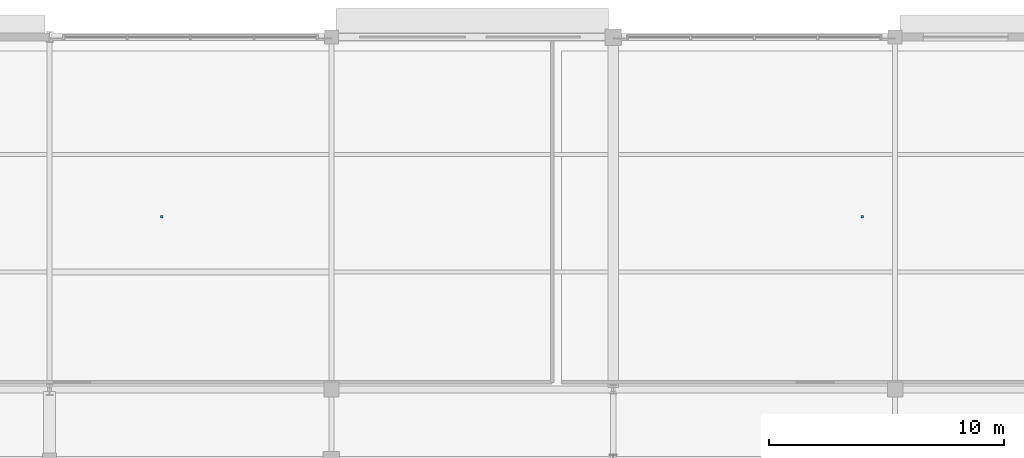
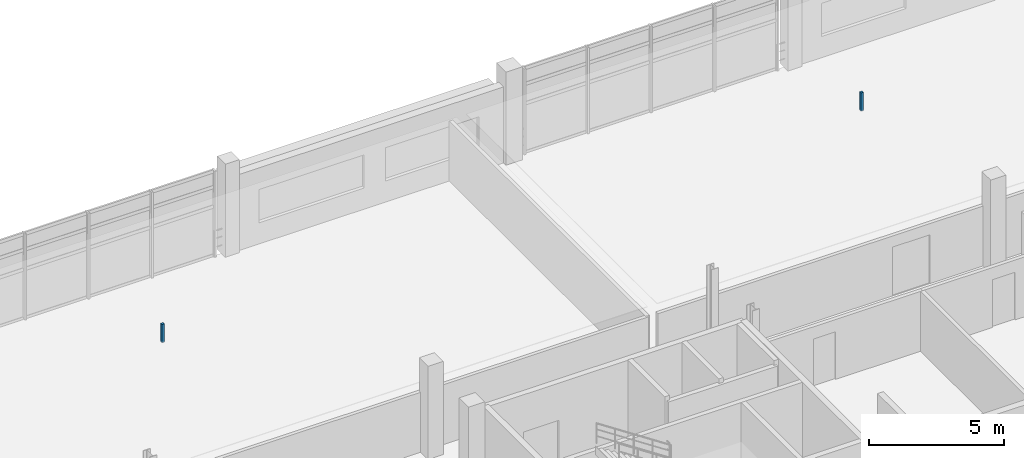
# One storey, part 76 of 89: 2 discrete accessories.
"""IFC4 building model written with IfcOpenShell, lengths in metres."""

from ifc_helpers import new_model, si_unit, direction, frame, origin, origin_2d, place, context, subcontext, project, spatial, rectangle, extrude, material, type_object, element, save


model = new_model("IFC4")

# Units and contexts
model_context = context("Model", 3, precision=1e-05, world=origin(), true_north=direction((0.0, 1.0)))
body_context = subcontext(model_context, "Body", "Model", "MODEL_VIEW")
ifc_project = project(units=[si_unit("LENGTHUNIT", "METRE"), si_unit("AREAUNIT", "SQUARE_METRE"), si_unit("VOLUMEUNIT", "CUBIC_METRE"), si_unit("PLANEANGLEUNIT", "RADIAN"), si_unit("MASSUNIT", "GRAM", prefix="KILO"), si_unit("THERMODYNAMICTEMPERATUREUNIT", "KELVIN"), si_unit("POWERUNIT", "WATT")], contexts=[model_context])

# Site, building, storey
site_placement = place(None, origin())
site = spatial("IfcSite", under=ifc_project, at=site_placement, CompositionType="ELEMENT")
building_placement = place(site_placement, origin())
building = spatial("IfcBuilding", under=site, at=building_placement, Name="Solmara Park Aquatics Centre", CompositionType="ELEMENT")
storey_placement = place(building_placement, frame((0.0, 0.0, 5.39990234375)))
storey = spatial("IfcBuildingStorey", under=building, at=storey_placement, Name="L01", CompositionType="ELEMENT", Elevation=5.39990234375)

# Discrete accessories
ifc_material = material(Name="Galvanised Steel Ceiling Suspension Bracket", Category="steel")
discrete_accessory_type = type_object("IfcDiscreteAccessoryType", Name="ARC-ACC-HNG", PredefinedType="BRACKET", material=ifc_material)
for number, where, z_axis, x_axis, name in (
    (1, (41.375, 128.35009765625, 3.080078125), (0.0, 0.0, 1.0), (1.0, 0.0, 0.0), "Ceiling Hanger Bracket L01-GYM-01"),
    (2, (71.199951171875, 128.35009765625, 3.080078125), (0.0, 0.0, 1.0), (1.0, 0.0, 0.0), "Ceiling Hanger Bracket L01-GYM-02"),
):
    element("IfcDiscreteAccessory", number, at=place(storey_placement, frame(where, z_axis=z_axis, x_axis=x_axis)), inside=storey, type_object=discrete_accessory_type, Name=name, PredefinedType="BRACKET", context=body_context, shape_type="SweptSolid", body=[
        extrude(rectangle(XDim=0.10009765625, YDim=0.10009765625, at=origin_2d()), origin(), (0.0, 0.0, 1.0), 0.820068359375),
    ])

save(model, "model.ifc")
